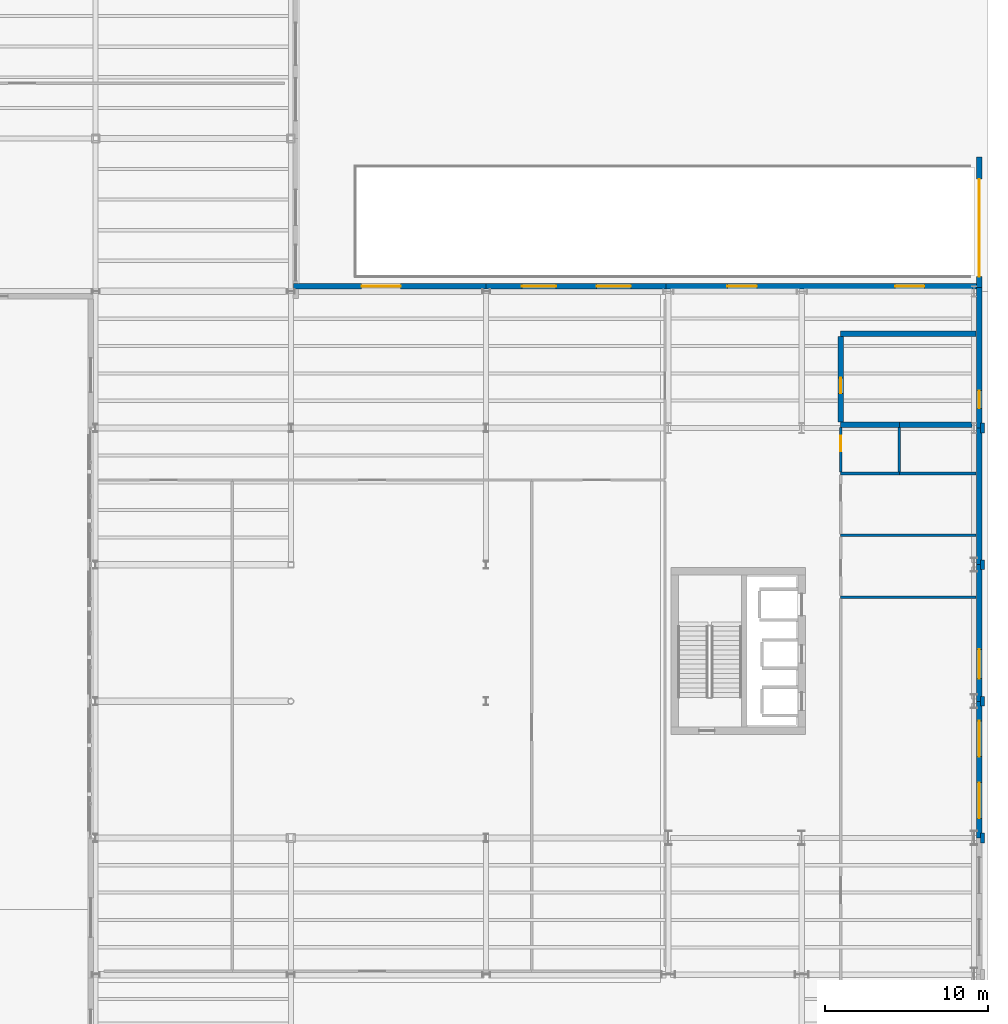
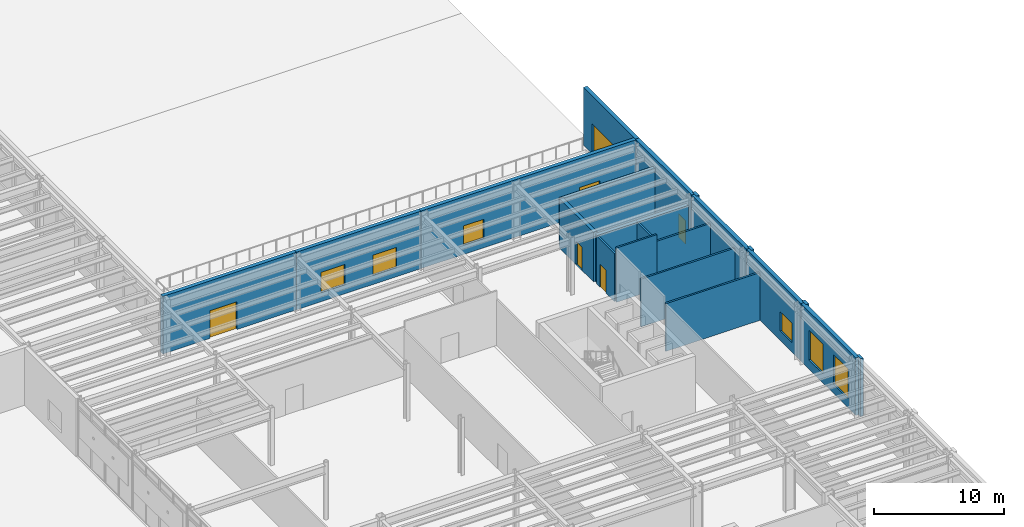
# One storey, part 80 of 94: 22 walls, 7 windows, 5 doors, 12 openings.
"""IFC4 building model written with IfcOpenShell, lengths in metres."""

import ifcopenshell
import ifcopenshell.guid

model = None  # the IFC model being written
_history = None  # IfcOwnerHistory: only IFC2X3 demands one
_inside = {}  # id of a spatial element -> (the spatial element, [elements in it])
_under = {}  # id of a project, library or spatial element -> (it, [spatial elements below it])
_declared = {}  # id of a project -> (the project, [libraries it declares])
_typed = {}  # id of a type object -> (the type object, [elements of that type])
_made_of = {}  # id of a material, layer set ... -> (it, [elements and type objects made of it])


def new_model(schema):
    """Start an empty IFC model of exactly this schema.

    Asked for "IFC4X3", IfcOpenShell would pick the latest addendum, in which some entities
    have other attributes; the version numbers below select the first issue.
    IFC2X3 requires an IfcOwnerHistory on every rooted entity: one is made here for all.
    """
    global model, _history
    if schema == "IFC4X3":
        model = ifcopenshell.file(schema_version=(4, 3, 0, 0))
    else:
        model = ifcopenshell.file(schema=schema)
    _inside.clear()
    _under.clear()
    _declared.clear()
    _typed.clear()
    _made_of.clear()
    _history = None
    if model.schema == "IFC2X3":
        org = make("IfcOrganization", Name="unknown")
        user = make(
            "IfcPersonAndOrganization",
            ThePerson=make("IfcPerson", FamilyName="unknown"),
            TheOrganization=org,
        )
        app = make(
            "IfcApplication",
            ApplicationDeveloper=org,
            Version="unknown",
            ApplicationFullName="unknown",
            ApplicationIdentifier="unknown",
        )
        _history = make(
            "IfcOwnerHistory",
            OwningUser=user,
            OwningApplication=app,
            ChangeAction="ADDED",
            CreationDate=0,
        )
    return model


def make(cls, **values):
    """One entity of the class cls with the attributes given. An attribute that is None is left unset."""
    return model.create_entity(
        cls, **{name: value for name, value in values.items() if value is not None}
    )


def rooted(cls, **values):
    """An entity with a GlobalId (a new one), such as an element, a storey or a relation."""
    return make(cls, GlobalId=ifcopenshell.guid.new(), OwnerHistory=_history, **values)


def si_unit(unit_type, name, prefix=None):
    """IfcSIUnit, for example si_unit("LENGTHUNIT", "METRE", prefix="MILLI")."""
    return make("IfcSIUnit", UnitType=unit_type, Prefix=prefix, Name=name)


def assignment(units):
    """IfcUnitAssignment: the units of a project."""
    return None if units is None else make("IfcUnitAssignment", Units=units)


def point(xyz):
    """IfcCartesianPoint."""
    return None if xyz is None else make("IfcCartesianPoint", Coordinates=xyz)


def direction(xyz):
    """IfcDirection."""
    return None if xyz is None else make("IfcDirection", DirectionRatios=xyz)


def frame(location, z_axis=None, x_axis=None):
    """IfcAxis2Placement3D, a coordinate frame: its origin and axes. An axis left out is left unset."""
    return make(
        "IfcAxis2Placement3D",
        Location=point(location),
        Axis=direction(z_axis),
        RefDirection=direction(x_axis),
    )


def frame_2d(location, x_axis=None):
    """IfcAxis2Placement2D, a coordinate frame in the plane: its origin and x axis."""
    return make(
        "IfcAxis2Placement2D", Location=point(location), RefDirection=direction(x_axis)
    )


def origin():
    """The frame at (0, 0, 0) with its axes left unset."""
    return frame((0.0, 0.0, 0.0))


def place(relative_to, where):
    """IfcLocalPlacement: puts the frame where relative to a parent placement (None: the world)."""
    return make(
        "IfcLocalPlacement", PlacementRelTo=relative_to, RelativePlacement=where
    )


def context(
    kind, dimensions, precision=None, world=None, true_north=None, identifier=None
):
    """IfcGeometricRepresentationContext, for example the 3D "Model" context."""
    return make(
        "IfcGeometricRepresentationContext",
        ContextIdentifier=identifier,
        ContextType=kind,
        CoordinateSpaceDimension=dimensions,
        Precision=precision,
        WorldCoordinateSystem=world,
        TrueNorth=true_north,
    )


def subcontext(parent, identifier, kind, view, scale=None):
    """IfcGeometricRepresentationSubContext, for example "Body" below "Model"."""
    return make(
        "IfcGeometricRepresentationSubContext",
        ContextIdentifier=identifier,
        ContextType=kind,
        ParentContext=parent,
        TargetScale=scale,
        TargetView=view,
    )


def project(units=None, contexts=None):
    """IfcProject with its units and contexts."""
    return rooted(
        "IfcProject",
        Name="project",
        RepresentationContexts=contexts,
        UnitsInContext=assignment(units),
    )


def spatial(cls, under=None, at=None, **own):
    """A site, building, storey or space (cls), placed at a placement, below another one or the project."""
    s = rooted(cls, ObjectPlacement=at, **own)
    if under is not None:
        _under.setdefault(under.id(), (under, []))[1].append(s)
    return s


def profile(cls, at=None, kind="AREA", **sizes):
    """A parametric profile (cls). Its sizes go by their IFC names, for example OverallWidth=200.0."""
    return make(cls, ProfileType=kind, Position=at, **sizes)


def rectangle(**sizes):
    """IfcRectangleProfileDef."""
    return profile("IfcRectangleProfileDef", **sizes)


def extrude(swept, where, along, depth):
    """IfcExtrudedAreaSolid: the profile swept, set in the frame where, extruded along a direction by depth."""
    return make(
        "IfcExtrudedAreaSolid",
        SweptArea=swept,
        Position=where,
        ExtrudedDirection=direction(along),
        Depth=depth,
    )


def shape(context_of_items, identifier, shape_type, items):
    """IfcShapeRepresentation: the items that make up one representation, for example the "Body"."""
    return make(
        "IfcShapeRepresentation",
        ContextOfItems=context_of_items,
        RepresentationIdentifier=identifier,
        RepresentationType=shape_type,
        Items=items,
    )


def material(Name=None, Category=None):
    """IfcMaterial."""
    return make("IfcMaterial", Name=Name, Category=Category)


def layer(
    of_material, thickness, ventilated=None, Name=None, Category=None, Priority=None
):
    """IfcMaterialLayer: one layer of a wall or slab, of a material (None: an air gap)."""
    return make(
        "IfcMaterialLayer",
        Material=of_material,
        LayerThickness=thickness,
        IsVentilated=ventilated,
        Name=Name,
        Category=Category,
        Priority=Priority,
    )


def layer_set(layers, Name=None):
    """IfcMaterialLayerSet."""
    return make("IfcMaterialLayerSet", MaterialLayers=layers, LayerSetName=Name)


def made_of(thing, what):
    """Note that an element or type object is made of a material, layer set ...; save() writes the relation."""
    if what is not None:
        _made_of.setdefault(what.id(), (what, []))[1].append(thing)
    return thing


def type_object(cls, material=None, **own):
    """A type object (cls), such as IfcWallType, which elements share."""
    return made_of(rooted(cls, **own), material)


def element(
    cls,
    number,
    at=None,
    inside=None,
    cuts=None,
    type_object=None,
    material=None,
    context=None,
    identifier="Body",
    shape_type=None,
    held_by="IfcProductDefinitionShape",
    body=None,
    shapes=None,
    **own,
):
    """One element of the class cls, such as IfcWall. Its Tag is "e" and its number.

    at: its placement. inside: the storey or other place that contains it. cuts: it is an
    opening in that element (IfcRelVoidsElement). A single representation is given by context,
    identifier, shape_type and body (its items); several are given by shapes. held_by: the class
    of the entity that holds the representations. save() writes the other relations.
    """
    e = rooted(cls, Tag="e%d" % number, ObjectPlacement=at, **own)
    if body is not None:
        shapes = [shape(context, identifier, shape_type, body)]
    if shapes is not None:
        e.Representation = make(held_by, Representations=shapes)
    if inside is not None:
        _inside.setdefault(inside.id(), (inside, []))[1].append(e)
    if cuts is not None:
        rooted(
            "IfcRelVoidsElement", RelatingBuildingElement=cuts, RelatedOpeningElement=e
        )
    if type_object is not None:
        _typed.setdefault(type_object.id(), (type_object, []))[1].append(e)
    return made_of(e, material)


def fill(opening, filler):
    """IfcRelFillsElement: the door or window that sits in an opening."""
    return rooted(
        "IfcRelFillsElement",
        RelatingOpeningElement=opening,
        RelatedBuildingElement=filler,
    )


def aggregate(whole, parts):
    """IfcRelAggregates: a whole, such as a stair, and the parts it consists of."""
    return rooted("IfcRelAggregates", RelatingObject=whole, RelatedObjects=parts)


def save(model, path):
    """Write the relations noted so far, then the file.

    IfcRelAggregates (storeys below a building ...), IfcRelContainedInSpatialStructure (elements
    in a storey), IfcRelDefinesByType, IfcRelAssociatesMaterial and IfcRelDeclares: one each for
    every whole, place, type object, material and project.
    """
    for whole, parts in _under.values():
        aggregate(whole, parts)
    for where, things in _inside.values():
        rooted(
            "IfcRelContainedInSpatialStructure",
            RelatedElements=things,
            RelatingStructure=where,
        )
    for kind, things in _typed.values():
        rooted("IfcRelDefinesByType", RelatedObjects=things, RelatingType=kind)
    for what, things in _made_of.values():
        rooted("IfcRelAssociatesMaterial", RelatedObjects=things, RelatingMaterial=what)
    for by, libraries in _declared.values():
        rooted("IfcRelDeclares", RelatingContext=by, RelatedDefinitions=libraries)
    model.write(path)


model = new_model("IFC4")

# Units and contexts
model_context = context("Model", 3, precision=1e-05, world=origin(), true_north=direction((0.0, 1.0)))
body_context = subcontext(model_context, "Body", "Model", "MODEL_VIEW")
ifc_project = project(units=[si_unit("LENGTHUNIT", "METRE"), si_unit("AREAUNIT", "SQUARE_METRE"), si_unit("VOLUMEUNIT", "CUBIC_METRE"), si_unit("PLANEANGLEUNIT", "RADIAN"), si_unit("MASSUNIT", "GRAM", prefix="KILO")], contexts=[model_context])

# Site, building, storey
site_placement = place(None, origin())
site = spatial("IfcSite", under=ifc_project, at=site_placement, CompositionType="ELEMENT")
building_placement = place(site_placement, origin())
building = spatial("IfcBuilding", under=site, at=building_placement, Name="Sollismere Congress Hotel", CompositionType="ELEMENT")
storey_placement = place(building_placement, origin())
storey = spatial("IfcBuildingStorey", under=building, at=storey_placement, Name="L00", CompositionType="ELEMENT", Elevation=0.0)

# Wall, opening, door
ifc_material_1 = material(Name="Colorado Buff Sandstone and Limestone Backup C40/50", Category="masonry")
ifc_layer_1 = layer(ifc_material_1, 0.340087890625, Name="Colorado Buff Sandstone and Limestone Backup C40/50")
ifc_layer_set_1 = layer_set([ifc_layer_1], Name="Colorado Buff Sandstone and Limestone Backup C40/50")
wall_type_1 = type_object("IfcWallType", Name="WL-EXT340", PredefinedType="STANDARD", material=ifc_layer_set_1)
wall_1_placement = place(storey_placement, frame((166.31005859375, 67.050048828125, 0.0), z_axis=(0.0, 0.0, 1.0), x_axis=(0.0, 1.0, 0.0)))
wall_1 = element("IfcWall", 1, at=wall_1_placement, inside=storey, type_object=wall_type_1, Name="Exterior wall EW-L00-008", PredefinedType="STANDARD", context=body_context, shape_type="SweptSolid", body=[
    extrude(rectangle(XDim=8.0, YDim=0.340087890625, at=frame_2d((4.0, 0.0))), origin(), (0.0, 0.0, 1.0), 5.39990234375),
])
opening_1_placement = place(wall_1_placement, frame((0.64990234375, 0.0, 0.0)))
opening_1 = element("IfcOpeningElement", 2, at=opening_1_placement, cuts=wall_1, Name="Opening L00-VG01", PredefinedType="OPENING", context=body_context, shape_type="SweptSolid", body=[
    extrude(rectangle(XDim=6.0, YDim=2.800048828125, at=frame_2d((3.0, 1.39990234375))), frame((0.0, 0.179931640625, 0.0), z_axis=(0.0, -1.0, 0.0), x_axis=(1.0, 0.0, 0.0)), (0.0, 0.0, 1.0), 0.360107421875),
])
ifc_material_2 = material(Name="Insulated Galvanised Steel Shutter", Category="steel")
door_type_1 = type_object("IfcDoorType", Name="DR-VG600", OperationType="ROLLINGUP", PredefinedType="GATE", material=ifc_material_2)
door_1_placement = place(opening_1_placement, frame((6.0, 0.0, 0.0), z_axis=(0.0, 0.0, 1.0), x_axis=(-1.0, 0.0, 0.0)))
door_1 = element("IfcDoor", 3, at=door_1_placement, inside=storey, type_object=door_type_1, Name="DOR-L00-VG01", OperationType="ROLLINGUP", OverallHeight=2.800048828125, OverallWidth=6.0, PredefinedType="GATE", context=body_context, shape_type="SweptSolid", body=[
    extrude(rectangle(XDim=6.0, YDim=2.800048828125, at=frame_2d((3.0, 1.39990234375))), frame((0.0, 0.02490234375, 0.0), z_axis=(0.0, -1.0, 0.0), x_axis=(1.0, 0.0, 0.0)), (0.0, 0.0, 1.0), 0.050048828125),
])
fill(opening_1, door_1)

wall_2_placement = place(storey_placement, frame((124.14990234375, 67.110107421875, 0.0), z_axis=(0.0, 0.0, 1.0), x_axis=(1.0, 0.0, 0.0)))
wall_2 = element("IfcWall", 4, at=wall_2_placement, inside=storey, type_object=wall_type_1, Name="Exterior wall EW-L00-203", PredefinedType="STANDARD", context=body_context, shape_type="SweptSolid", body=[
    extrude(rectangle(XDim=11.85009765625, YDim=0.340087890625, at=frame_2d((5.925048828125, 0.0))), origin(), (0.0, 0.0, 1.0), 5.39990234375),
])
opening_2_placement = place(wall_2_placement, frame((4.199951171875, 0.0, 0.0)))
opening_2 = element("IfcOpeningElement", 5, at=opening_2_placement, cuts=wall_2, Name="Opening D-L00-E15", PredefinedType="OPENING", context=body_context, shape_type="SweptSolid", body=[
    extrude(rectangle(XDim=2.39990234375, YDim=2.60009765625, at=frame_2d((1.199951171875, 1.300048828125))), frame((0.0, 0.179931640625, 0.0), z_axis=(0.0, -1.0, 0.0), x_axis=(1.0, 0.0, 0.0)), (0.0, 0.0, 1.0), 0.360107421875),
])
ifc_material_3 = material(Name="Thermally Broken Bronze-Anodized Aluminum & Laminated Glass", Category="aluminium")
door_type_2 = type_object("IfcDoorType", Name="DR-EX240", OperationType="DOUBLE_DOOR_SINGLE_SWING", PredefinedType="DOOR", material=ifc_material_3)
door_2_placement = place(opening_2_placement, origin())
door_2 = element("IfcDoor", 6, at=door_2_placement, inside=storey, type_object=door_type_2, Name="DOR-D-L00-E15", OperationType="DOUBLE_DOOR_SINGLE_SWING", OverallHeight=2.60009765625, OverallWidth=2.39990234375, PredefinedType="DOOR", context=body_context, shape_type="SweptSolid", body=[
    extrude(rectangle(XDim=2.39990234375, YDim=2.60009765625, at=frame_2d((1.199951171875, 1.300048828125))), frame((0.0, 0.02490234375, 0.0), z_axis=(0.0, -1.0, 0.0), x_axis=(1.0, 0.0, 0.0)), (0.0, 0.0, 1.0), 0.050048828125),
])
fill(opening_2, door_2)

# Wall, openings, windows
wall_3_placement = place(storey_placement, frame((136.0, 67.110107421875, 0.0), z_axis=(0.0, 0.0, 1.0), x_axis=(1.0, 0.0, 0.0)))
wall_3 = element("IfcWall", 7, at=wall_3_placement, inside=storey, type_object=wall_type_1, Name="Exterior wall EW-L00-204", PredefinedType="STANDARD", context=body_context, shape_type="SweptSolid", body=[
    extrude(rectangle(XDim=11.050048828125, YDim=0.340087890625, at=frame_2d((5.52490234375, 0.0))), origin(), (0.0, 0.0, 1.0), 5.39990234375),
])
opening_3_placement = place(wall_3_placement, frame((2.199951171875, 0.0, 0.85009765625)))
opening_3 = element("IfcOpeningElement", 8, at=opening_3_placement, cuts=wall_3, Name="Opening W-L00-168", PredefinedType="OPENING", context=body_context, shape_type="SweptSolid", body=[
    extrude(rectangle(XDim=2.10009765625, YDim=1.89990234375, at=frame_2d((1.050048828125, 0.949951171875))), frame((0.0, 0.179931640625, 0.0), z_axis=(0.0, -1.0, 0.0), x_axis=(1.0, 0.0, 0.0)), (0.0, 0.0, 1.0), 0.360107421875),
])
opening_4_placement = place(wall_3_placement, frame((6.800048828125, 0.0, 0.85009765625)))
opening_4 = element("IfcOpeningElement", 9, at=opening_4_placement, cuts=wall_3, Name="Opening W-L00-169", PredefinedType="OPENING", context=body_context, shape_type="SweptSolid", body=[
    extrude(rectangle(XDim=2.10009765625, YDim=1.89990234375, at=frame_2d((1.050048828125, 0.949951171875))), frame((0.0, 0.179931640625, 0.0), z_axis=(0.0, -1.0, 0.0), x_axis=(1.0, 0.0, 0.0)), (0.0, 0.0, 1.0), 0.360107421875),
])
ifc_material_4 = material(Name="Thermally Broken Bronze Aluminum & Low-E Glass", Category="aluminium")
window_type_1 = type_object("IfcWindowType", Name="WN-P210x190", PartitioningType="SINGLE_PANEL", PredefinedType="WINDOW", material=ifc_material_4)
window_1_placement = place(opening_3_placement, origin())
window_1 = element("IfcWindow", 10, at=window_1_placement, inside=storey, type_object=window_type_1, Name="WIN-W-L00-168", OverallHeight=1.89990234375, OverallWidth=2.10009765625, PartitioningType="SINGLE_PANEL", PredefinedType="WINDOW", context=body_context, shape_type="SweptSolid", body=[
    extrude(rectangle(XDim=2.10009765625, YDim=1.89990234375, at=frame_2d((1.050048828125, 0.949951171875))), frame((0.0, 0.030029296875, 0.0), z_axis=(0.0, -1.0, 0.0), x_axis=(1.0, 0.0, 0.0)), (0.0, 0.0, 1.0), 0.06005859375),
])
fill(opening_3, window_1)
window_2_placement = place(opening_4_placement, origin())
window_2 = element("IfcWindow", 11, at=window_2_placement, inside=storey, type_object=window_type_1, Name="WIN-W-L00-169", OverallHeight=1.89990234375, OverallWidth=2.10009765625, PartitioningType="SINGLE_PANEL", PredefinedType="WINDOW", context=body_context, shape_type="SweptSolid", body=[
    extrude(rectangle(XDim=2.10009765625, YDim=1.89990234375, at=frame_2d((1.050048828125, 0.949951171875))), frame((0.0, 0.030029296875, 0.0), z_axis=(0.0, -1.0, 0.0), x_axis=(1.0, 0.0, 0.0)), (0.0, 0.0, 1.0), 0.06005859375),
])
fill(opening_4, window_2)

wall_4_placement = place(storey_placement, frame((166.31005859375, 33.199951171875, 0.0), z_axis=(0.0, 0.0, 1.0), x_axis=(0.0, 1.0, 0.0)))
wall_4 = element("IfcWall", 12, at=wall_4_placement, inside=storey, type_object=wall_type_1, Name="Exterior wall EW-L00-256", PredefinedType="STANDARD", context=body_context, shape_type="SweptSolid", body=[
    extrude(rectangle(XDim=8.400146484375, YDim=0.340087890625, at=frame_2d((4.2001953125, 0.0))), origin(), (0.0, 0.0, 1.0), 5.39990234375),
])
opening_5_placement = place(wall_4_placement, frame((1.199951171875, 0.0, 0.85009765625)))
opening_5 = element("IfcOpeningElement", 13, at=opening_5_placement, cuts=wall_4, Name="Opening W-L00-212", PredefinedType="OPENING", context=body_context, shape_type="SweptSolid", body=[
    extrude(rectangle(XDim=2.199951171875, YDim=2.800048828125, at=frame_2d((1.10009765625, 1.39990234375))), frame((0.0, 0.179931640625, 0.0), z_axis=(0.0, -1.0, 0.0), x_axis=(1.0, 0.0, 0.0)), (0.0, 0.0, 1.0), 0.360107421875),
])
opening_6_placement = place(wall_4_placement, frame((5.0, 0.0, 0.85009765625)))
opening_6 = element("IfcOpeningElement", 14, at=opening_6_placement, cuts=wall_4, Name="Opening W-L00-213", PredefinedType="OPENING", context=body_context, shape_type="SweptSolid", body=[
    extrude(rectangle(XDim=2.199951171875, YDim=2.800048828125, at=frame_2d((1.10009765625, 1.39990234375))), frame((0.0, 0.179931640625, 0.0), z_axis=(0.0, -1.0, 0.0), x_axis=(1.0, 0.0, 0.0)), (0.0, 0.0, 1.0), 0.360107421875),
])
window_type_2 = type_object("IfcWindowType", Name="WN-A220x280", PartitioningType="SINGLE_PANEL", PredefinedType="WINDOW", material=ifc_material_4)
window_3_placement = place(opening_5_placement, origin())
window_3 = element("IfcWindow", 15, at=window_3_placement, inside=storey, type_object=window_type_2, Name="WIN-W-L00-212", OverallHeight=2.800048828125, OverallWidth=2.199951171875, PartitioningType="SINGLE_PANEL", PredefinedType="WINDOW", context=body_context, shape_type="SweptSolid", body=[
    extrude(rectangle(XDim=2.199951171875, YDim=2.800048828125, at=frame_2d((1.10009765625, 1.39990234375))), frame((0.0, 0.030029296875, 0.0), z_axis=(0.0, -1.0, 0.0), x_axis=(1.0, 0.0, 0.0)), (0.0, 0.0, 1.0), 0.06005859375),
])
fill(opening_5, window_3)
window_4_placement = place(opening_6_placement, origin())
window_4 = element("IfcWindow", 16, at=window_4_placement, inside=storey, type_object=window_type_2, Name="WIN-W-L00-213", OverallHeight=2.800048828125, OverallWidth=2.199951171875, PartitioningType="SINGLE_PANEL", PredefinedType="WINDOW", context=body_context, shape_type="SweptSolid", body=[
    extrude(rectangle(XDim=2.199951171875, YDim=2.800048828125, at=frame_2d((1.10009765625, 1.39990234375))), frame((0.0, 0.030029296875, 0.0), z_axis=(0.0, -1.0, 0.0), x_axis=(1.0, 0.0, 0.0)), (0.0, 0.0, 1.0), 0.06005859375),
])
fill(opening_6, window_4)

# Wall, opening, window
wall_5_placement = place(storey_placement, frame((166.31005859375, 41.60009765625, 0.0), z_axis=(0.0, 0.0, 1.0), x_axis=(0.0, 1.0, 0.0)))
wall_5 = element("IfcWall", 17, at=wall_5_placement, inside=storey, type_object=wall_type_1, Name="Exterior wall EW-L00-258", PredefinedType="STANDARD", context=body_context, shape_type="SweptSolid", body=[
    extrude(rectangle(XDim=8.39990234375, YDim=0.340087890625, at=frame_2d((4.199951171875, 0.0))), origin(), (0.0, 0.0, 1.0), 5.39990234375),
])
opening_7_placement = place(wall_5_placement, frame((1.39990234375, 0.0, 0.89990234375)))
opening_7 = element("IfcOpeningElement", 18, at=opening_7_placement, cuts=wall_5, Name="Opening W-L00-214", PredefinedType="OPENING", context=body_context, shape_type="SweptSolid", body=[
    extrude(rectangle(XDim=1.800048828125, YDim=1.800048828125, at=frame_2d((0.89990234375, 0.89990234375))), frame((0.0, 0.179931640625, 0.0), z_axis=(0.0, -1.0, 0.0), x_axis=(1.0, 0.0, 0.0)), (0.0, 0.0, 1.0), 0.360107421875),
])
window_type_3 = type_object("IfcWindowType", Name="WN-P180x180", PartitioningType="SINGLE_PANEL", PredefinedType="WINDOW", material=ifc_material_4)
window_5_placement = place(opening_7_placement, origin())
window_5 = element("IfcWindow", 19, at=window_5_placement, inside=storey, type_object=window_type_3, Name="WIN-W-L00-214", OverallHeight=1.800048828125, OverallWidth=1.800048828125, PartitioningType="SINGLE_PANEL", PredefinedType="WINDOW", context=body_context, shape_type="SweptSolid", body=[
    extrude(rectangle(XDim=1.800048828125, YDim=1.800048828125, at=frame_2d((0.89990234375, 0.89990234375))), frame((0.0, 0.030029296875, 0.0), z_axis=(0.0, -1.0, 0.0), x_axis=(1.0, 0.0, 0.0)), (0.0, 0.0, 1.0), 0.06005859375),
])
fill(opening_7, window_5)

# Wall
wall_6_placement = place(storey_placement, frame((166.31005859375, 50.0, 0.0), z_axis=(0.0, 0.0, 1.0), x_axis=(0.0, 1.0, 0.0)))
element("IfcWall", 20, at=wall_6_placement, inside=storey, type_object=wall_type_1, Name="Exterior wall EW-L00-260", PredefinedType="STANDARD", context=body_context, shape_type="SweptSolid", body=[
    extrude(rectangle(XDim=8.39990234375, YDim=0.340087890625, at=frame_2d((4.199951171875, 0.0))), origin(), (0.0, 0.0, 1.0), 5.39990234375),
])

# Wall, opening, door
wall_7_placement = place(storey_placement, frame((166.31005859375, 58.39990234375, 0.0), z_axis=(0.0, 0.0, 1.0), x_axis=(0.0, 1.0, 0.0)))
wall_7 = element("IfcWall", 21, at=wall_7_placement, inside=storey, type_object=wall_type_1, Name="Exterior wall EW-L00-262", PredefinedType="STANDARD", context=body_context, shape_type="SweptSolid", body=[
    extrude(rectangle(XDim=8.650146484375, YDim=0.340087890625, at=frame_2d((4.3251953125, 0.0))), origin(), (0.0, 0.0, 1.0), 5.39990234375),
])
opening_8_placement = place(wall_7_placement, frame((1.199951171875, 0.0, 0.0)))
opening_8 = element("IfcOpeningElement", 22, at=opening_8_placement, cuts=wall_7, Name="Opening D-L00-E24", PredefinedType="OPENING", context=body_context, shape_type="SweptSolid", body=[
    extrude(rectangle(XDim=1.10009765625, YDim=2.199951171875, at=frame_2d((0.550048828125, 1.10009765625))), frame((0.0, 0.179931640625, 0.0), z_axis=(0.0, -1.0, 0.0), x_axis=(1.0, 0.0, 0.0)), (0.0, 0.0, 1.0), 0.360107421875),
])
door_type_3 = type_object("IfcDoorType", Name="DR-EX110", OperationType="SINGLE_SWING_RIGHT", PredefinedType="DOOR", material=ifc_material_3)
door_3_placement = place(opening_8_placement, frame((1.10009765625, 0.0, 0.0), z_axis=(0.0, 0.0, 1.0), x_axis=(-1.0, 0.0, 0.0)))
door_3 = element("IfcDoor", 23, at=door_3_placement, inside=storey, type_object=door_type_3, Name="DOR-D-L00-E24", OperationType="SINGLE_SWING_RIGHT", OverallHeight=2.199951171875, OverallWidth=1.10009765625, PredefinedType="DOOR", context=body_context, shape_type="SweptSolid", body=[
    extrude(rectangle(XDim=1.10009765625, YDim=2.199951171875, at=frame_2d((0.550048828125, 1.10009765625))), frame((0.0, 0.02490234375, 0.0), z_axis=(0.0, -1.0, 0.0), x_axis=(1.0, 0.0, 0.0)), (0.0, 0.0, 1.0), 0.050048828125),
])
fill(opening_8, door_3)

# Wall, openings, windows
wall_8_placement = place(storey_placement, frame((166.137939453125, 67.110107421875, 0.0), z_axis=(0.0, 0.0, 1.0), x_axis=(-1.0, 0.0, 0.0)))
wall_8 = element("IfcWall", 24, at=wall_8_placement, inside=storey, type_object=wall_type_1, Name="Exterior wall EW-L00-272", PredefinedType="STANDARD", context=body_context, shape_type="SweptSolid", body=[
    extrude(rectangle(XDim=19.087890625, YDim=0.340087890625, at=frame_2d((9.5439453125, 0.0))), origin(), (0.0, 0.0, 1.0), 5.39990234375),
])
opening_9_placement = place(wall_8_placement, frame((3.199951171875, 0.0, 0.8798828125)))
opening_9 = element("IfcOpeningElement", 25, at=opening_9_placement, cuts=wall_8, Name="Opening W-L00-216", PredefinedType="OPENING", context=body_context, shape_type="SweptSolid", body=[
    extrude(rectangle(XDim=1.800048828125, YDim=1.800048828125, at=frame_2d((0.89990234375, 0.89990234375))), frame((0.0, 0.179931640625, 0.0), z_axis=(0.0, -1.0, 0.0), x_axis=(1.0, 0.0, 0.0)), (0.0, 0.0, 1.0), 0.360107421875),
])
opening_10_placement = place(wall_8_placement, frame((13.5, 0.0, 0.8798828125)))
opening_10 = element("IfcOpeningElement", 26, at=opening_10_placement, cuts=wall_8, Name="Opening W-L00-217", PredefinedType="OPENING", context=body_context, shape_type="SweptSolid", body=[
    extrude(rectangle(XDim=1.800048828125, YDim=1.800048828125, at=frame_2d((0.89990234375, 0.89990234375))), frame((0.0, 0.179931640625, 0.0), z_axis=(0.0, -1.0, 0.0), x_axis=(1.0, 0.0, 0.0)), (0.0, 0.0, 1.0), 0.360107421875),
])
window_6_placement = place(opening_9_placement, origin())
window_6 = element("IfcWindow", 27, at=window_6_placement, inside=storey, type_object=window_type_3, Name="WIN-W-L00-216", OverallHeight=1.800048828125, OverallWidth=1.800048828125, PartitioningType="SINGLE_PANEL", PredefinedType="WINDOW", context=body_context, shape_type="SweptSolid", body=[
    extrude(rectangle(XDim=1.800048828125, YDim=1.800048828125, at=frame_2d((0.89990234375, 0.89990234375))), frame((0.0, 0.030029296875, 0.0), z_axis=(0.0, -1.0, 0.0), x_axis=(1.0, 0.0, 0.0)), (0.0, 0.0, 1.0), 0.06005859375),
])
fill(opening_9, window_6)
window_7_placement = place(opening_10_placement, origin())
window_7 = element("IfcWindow", 28, at=window_7_placement, inside=storey, type_object=window_type_3, Name="WIN-W-L00-217", OverallHeight=1.800048828125, OverallWidth=1.800048828125, PartitioningType="SINGLE_PANEL", PredefinedType="WINDOW", context=body_context, shape_type="SweptSolid", body=[
    extrude(rectangle(XDim=1.800048828125, YDim=1.800048828125, at=frame_2d((0.89990234375, 0.89990234375))), frame((0.0, 0.030029296875, 0.0), z_axis=(0.0, -1.0, 0.0), x_axis=(1.0, 0.0, 0.0)), (0.0, 0.0, 1.0), 0.06005859375),
])
fill(opening_10, window_7)

# Walls
ifc_material_5 = material(Name="Carved Travertine Pilaster & Frieze Assembly", Category="masonry")
ifc_layer_2 = layer(ifc_material_5, 0.260009765625, Name="Carved Travertine Pilaster & Frieze Assembly")
ifc_layer_set_2 = layer_set([ifc_layer_2], Name="Carved Travertine Pilaster & Frieze Assembly")
wall_type_2 = type_object("IfcWallType", Name="WL-PIL280", PredefinedType="ELEMENTEDWALL", material=ifc_layer_set_2)
wall_9_placement = place(storey_placement, frame((166.52001953125, 32.89990234375, 0.0), z_axis=(0.0, 0.0, 1.0), x_axis=(0.0, 1.0, 0.0)))
element("IfcWall", 29, at=wall_9_placement, inside=storey, type_object=wall_type_2, Name="Exterior wall EW-L00-257", PredefinedType="ELEMENTEDWALL", context=body_context, shape_type="SweptSolid", body=[
    extrude(rectangle(XDim=0.60009765625, YDim=0.260009765625, at=frame_2d((0.300048828125, 0.0))), origin(), (0.0, 0.0, 1.0), 5.39990234375),
])
wall_10_placement = place(storey_placement, frame((166.52001953125, 41.300048828125, 0.0), z_axis=(0.0, 0.0, 1.0), x_axis=(0.0, 1.0, 0.0)))
element("IfcWall", 30, at=wall_10_placement, inside=storey, type_object=wall_type_2, Name="Exterior wall EW-L00-259", PredefinedType="ELEMENTEDWALL", context=body_context, shape_type="SweptSolid", body=[
    extrude(rectangle(XDim=0.599853515625, YDim=0.260009765625, at=frame_2d((0.2998046875, 0.0))), origin(), (0.0, 0.0, 1.0), 5.39990234375),
])
wall_11_placement = place(storey_placement, frame((166.52001953125, 49.699951171875, 0.0), z_axis=(0.0, 0.0, 1.0), x_axis=(0.0, 1.0, 0.0)))
element("IfcWall", 31, at=wall_11_placement, inside=storey, type_object=wall_type_2, Name="Exterior wall EW-L00-261", PredefinedType="ELEMENTEDWALL", context=body_context, shape_type="SweptSolid", body=[
    extrude(rectangle(XDim=0.60009765625, YDim=0.260009765625, at=frame_2d((0.300048828125, 0.0))), origin(), (0.0, 0.0, 1.0), 5.39990234375),
])
wall_12_placement = place(storey_placement, frame((166.52001953125, 58.10009765625, 0.0), z_axis=(0.0, 0.0, 1.0), x_axis=(0.0, 1.0, 0.0)))
element("IfcWall", 32, at=wall_12_placement, inside=storey, type_object=wall_type_2, Name="Exterior wall EW-L00-263", PredefinedType="ELEMENTEDWALL", context=body_context, shape_type="SweptSolid", body=[
    extrude(rectangle(XDim=0.599853515625, YDim=0.260009765625, at=frame_2d((0.2998046875, 0.0))), origin(), (0.0, 0.0, 1.0), 5.39990234375),
])
ifc_material_6 = material(Name="Fire-Rated Acoustic Gypsum Partition")
ifc_layer_3 = layer(ifc_material_6, 0.1650390625, Name="Fire-Rated Acoustic Gypsum Partition")
ifc_layer_set_3 = layer_set([ifc_layer_3], Name="Fire-Rated Acoustic Gypsum Partition")
wall_type_3 = type_object("IfcWallType", Name="WL-PRT165R", PredefinedType="PARTITIONING", material=ifc_layer_set_3)
for number, where, z_axis, x_axis, name in (
    (33, (157.800048828125, 48.0, 0.0), (0.0, 0.0, 1.0), (1.0, 0.0, 0.0), "Interior wall IW-L00-0793"),
    (34, (157.800048828125, 51.800048828125, 0.0), (0.0, 0.0, 1.0), (1.0, 0.0, 0.0), "Interior wall IW-L00-0794"),
):
    element("IfcWall", number, at=place(storey_placement, frame(where, z_axis=z_axis, x_axis=x_axis)), inside=storey, type_object=wall_type_3, Name=name, PredefinedType="PARTITIONING", context=body_context, shape_type="SweptSolid", body=[
        extrude(rectangle(XDim=8.324951171875, YDim=0.1650390625, at=frame_2d((4.16259765625, 0.0))), origin(), (0.0, 0.0, 1.0), 4.47998046875),
    ])
wall_13_placement = place(storey_placement, frame((157.800048828125, 55.60009765625, 0.0), z_axis=(0.0, 0.0, 1.0), x_axis=(1.0, 0.0, 0.0)))
element("IfcWall", 35, at=wall_13_placement, inside=storey, type_object=wall_type_3, Name="Interior wall IW-L00-0800", PredefinedType="PARTITIONING", context=body_context, shape_type="SweptSolid", body=[
    extrude(rectangle(XDim=3.599853515625, YDim=0.1650390625, at=frame_2d((1.7998046875, 0.0))), origin(), (0.0, 0.0, 1.0), 5.090087890625),
])
wall_14_placement = place(storey_placement, frame((161.39990234375, 55.60009765625, 0.0), z_axis=(0.0, 0.0, 1.0), x_axis=(1.0, 0.0, 0.0)))
element("IfcWall", 36, at=wall_14_placement, inside=storey, type_object=wall_type_3, Name="Interior wall IW-L00-0801", PredefinedType="PARTITIONING", context=body_context, shape_type="SweptSolid", body=[
    extrude(rectangle(XDim=4.72509765625, YDim=0.1650390625, at=frame_2d((2.362548828125, 0.0))), origin(), (0.0, 0.0, 1.0), 4.47998046875),
])

# Wall, opening, door
wall_15_placement = place(storey_placement, frame((157.800048828125, 55.694580078125, 0.0), z_axis=(0.0, 0.0, 1.0), x_axis=(0.0, 1.0, 0.0)))
wall_15 = element("IfcWall", 37, at=wall_15_placement, inside=storey, type_object=wall_type_3, Name="Interior wall IW-L00-0840", PredefinedType="PARTITIONING", context=body_context, shape_type="SweptSolid", body=[
    extrude(rectangle(XDim=2.7333984375, YDim=0.1650390625, at=frame_2d((1.36669921875, 0.0))), origin(), (0.0, 0.0, 1.0), 4.5029296875),
])
opening_11_placement = place(wall_15_placement, frame((1.27587890625, 0.0, 0.0)))
opening_11 = element("IfcOpeningElement", 38, at=opening_11_placement, cuts=wall_15, Name="Opening D-L00-0293", PredefinedType="OPENING", context=body_context, shape_type="SweptSolid", body=[
    extrude(rectangle(XDim=0.9599609375, YDim=2.14990234375, at=frame_2d((0.47998046875, 1.074951171875))), frame((0.0, 0.092529296875, 0.0), z_axis=(0.0, -1.0, 0.0), x_axis=(1.0, 0.0, 0.0)), (0.0, 0.0, 1.0), 0.18505859375),
])
ifc_material_7 = material(Name="Fire-Rated Accessible Restroom Door")
door_type_4 = type_object("IfcDoorType", Name="DR-AWC01", OperationType="NOTDEFINED", PredefinedType="DOOR", material=ifc_material_7)
door_4_placement = place(opening_11_placement, origin())
door_4 = element("IfcDoor", 39, at=door_4_placement, inside=storey, type_object=door_type_4, Name="Interior door D-L00-0293", OperationType="SINGLE_SWING_LEFT", OverallHeight=2.14990234375, OverallWidth=0.9599609375, PredefinedType="DOOR", context=body_context, shape_type="SweptSolid", body=[
    extrude(rectangle(XDim=0.9599609375, YDim=2.14990234375, at=frame_2d((0.47998046875, 1.074951171875))), frame((0.0, 0.02490234375, 0.0), z_axis=(0.0, -1.0, 0.0), x_axis=(1.0, 0.0, 0.0)), (0.0, 0.0, 1.0), 0.050048828125),
])
fill(opening_11, door_4)

# Walls
wall_16_placement = place(storey_placement, frame((161.39990234375, 55.694580078125, 0.0), z_axis=(0.0, 0.0, 1.0), x_axis=(0.0, 1.0, 0.0)))
element("IfcWall", 40, at=wall_16_placement, inside=storey, type_object=wall_type_3, Name="Interior wall IW-L00-0842", PredefinedType="PARTITIONING", context=body_context, shape_type="SweptSolid", body=[
    extrude(rectangle(XDim=2.7333984375, YDim=0.1650390625, at=frame_2d((1.36669921875, 0.0))), origin(), (0.0, 0.0, 1.0), 4.5029296875),
])
ifc_material_8 = material(Name="Acoustic Double-Wythe Concrete Block & Gypsum C40/50", Category="concrete")
ifc_layer_4 = layer(ifc_material_8, 0.320068359375, Name="Acoustic Double-Wythe Concrete Block & Gypsum C40/50")
ifc_layer_set_4 = layer_set([ifc_layer_4], Name="Acoustic Double-Wythe Concrete Block & Gypsum C40/50")
wall_type_4 = type_object("IfcWallType", Name="WL-SLD320I", PredefinedType="PARTITIONING", material=ifc_layer_set_4)
wall_17_placement = place(storey_placement, frame((157.800048828125, 58.60009765625, 0.0), z_axis=(0.0, 0.0, 1.0), x_axis=(1.0, 0.0, 0.0)))
element("IfcWall", 41, at=wall_17_placement, inside=storey, type_object=wall_type_4, Name="Interior wall IW-L00-0803", PredefinedType="PARTITIONING", context=body_context, shape_type="SweptSolid", body=[
    extrude(rectangle(XDim=3.599853515625, YDim=0.320068359375, at=frame_2d((1.7998046875, 0.0))), origin(), (0.0, 0.0, 1.0), 4.5029296875),
])
wall_18_placement = place(storey_placement, frame((161.39990234375, 58.60009765625, 0.0), z_axis=(0.0, 0.0, 1.0), x_axis=(1.0, 0.0, 0.0)))
element("IfcWall", 42, at=wall_18_placement, inside=storey, type_object=wall_type_4, Name="Interior wall IW-L00-0804", PredefinedType="PARTITIONING", context=body_context, shape_type="SweptSolid", body=[
    extrude(rectangle(XDim=4.460205078125, YDim=0.320068359375, at=frame_2d((2.22998046875, 0.0))), origin(), (0.0, 0.0, 1.0), 4.5029296875),
])
wall_19_placement = place(storey_placement, frame((157.800048828125, 64.199951171875, 0.0), z_axis=(0.0, 0.0, 1.0), x_axis=(1.0, 0.0, 0.0)))
element("IfcWall", 43, at=wall_19_placement, inside=storey, type_object=wall_type_4, Name="Interior wall IW-L00-0805", PredefinedType="PARTITIONING", context=body_context, shape_type="SweptSolid", body=[
    extrude(rectangle(XDim=8.324951171875, YDim=0.320068359375, at=frame_2d((4.16259765625, 0.0))), origin(), (0.0, 0.0, 1.0), 4.47998046875),
])

# Wall, opening, door
wall_20_placement = place(storey_placement, frame((157.800048828125, 58.77197265625, 0.0), z_axis=(0.0, 0.0, 1.0), x_axis=(0.0, 1.0, 0.0)))
wall_20 = element("IfcWall", 44, at=wall_20_placement, inside=storey, type_object=wall_type_4, Name="Interior wall IW-L00-0841", PredefinedType="PARTITIONING", context=body_context, shape_type="SweptSolid", body=[
    extrude(rectangle(XDim=5.256103515625, YDim=0.320068359375, at=frame_2d((2.6279296875, 0.0))), origin(), (0.0, 0.0, 1.0), 4.64794921875),
])
opening_12_placement = place(wall_20_placement, frame((1.7529296875, 0.0, 0.0)))
opening_12 = element("IfcOpeningElement", 45, at=opening_12_placement, cuts=wall_20, Name="Opening D-FCC-01", PredefinedType="OPENING", context=body_context, shape_type="SweptSolid", body=[
    extrude(rectangle(XDim=0.949951171875, YDim=2.199951171875, at=frame_2d((0.47509765625, 1.10009765625))), frame((0.0, 0.169921875, 0.0), z_axis=(0.0, -1.0, 0.0), x_axis=(1.0, 0.0, 0.0)), (0.0, 0.0, 1.0), 0.340087890625),
])
ifc_material_9 = material(Name="Fire-Rated Insulated Steel Door", Category="steel")
door_type_5 = type_object("IfcDoorType", Name="DR-FD90", OperationType="NOTDEFINED", PredefinedType="DOOR", material=ifc_material_9)
door_5_placement = place(opening_12_placement, origin())
door_5 = element("IfcDoor", 46, at=door_5_placement, inside=storey, type_object=door_type_5, Name="Interior door D-FCC-01", OperationType="SINGLE_SWING_LEFT", OverallHeight=2.199951171875, OverallWidth=0.949951171875, PredefinedType="DOOR", context=body_context, shape_type="SweptSolid", body=[
    extrude(rectangle(XDim=0.949951171875, YDim=2.199951171875, at=frame_2d((0.47509765625, 1.10009765625))), frame((0.0, 0.02490234375, 0.0), z_axis=(0.0, -1.0, 0.0), x_axis=(1.0, 0.0, 0.0)), (0.0, 0.0, 1.0), 0.050048828125),
])
fill(opening_12, door_5)

save(model, "model.ifc")
